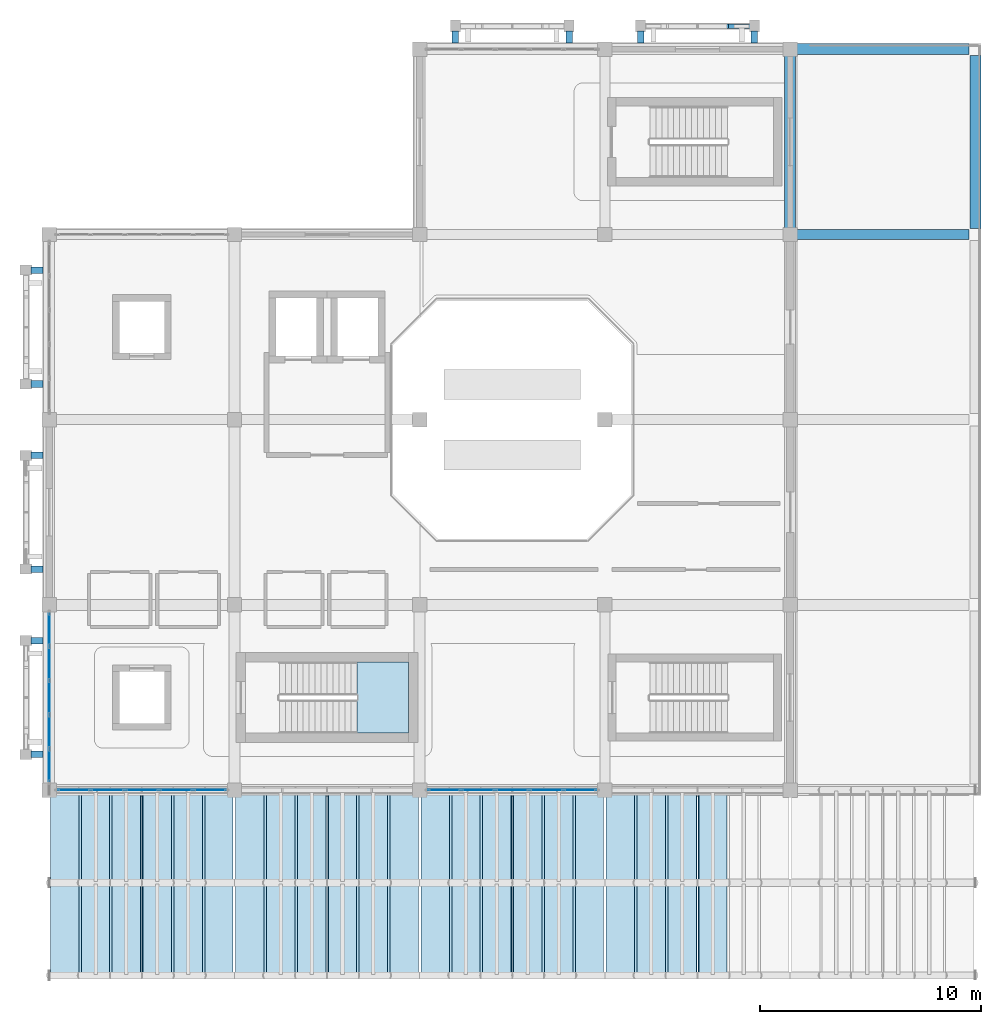
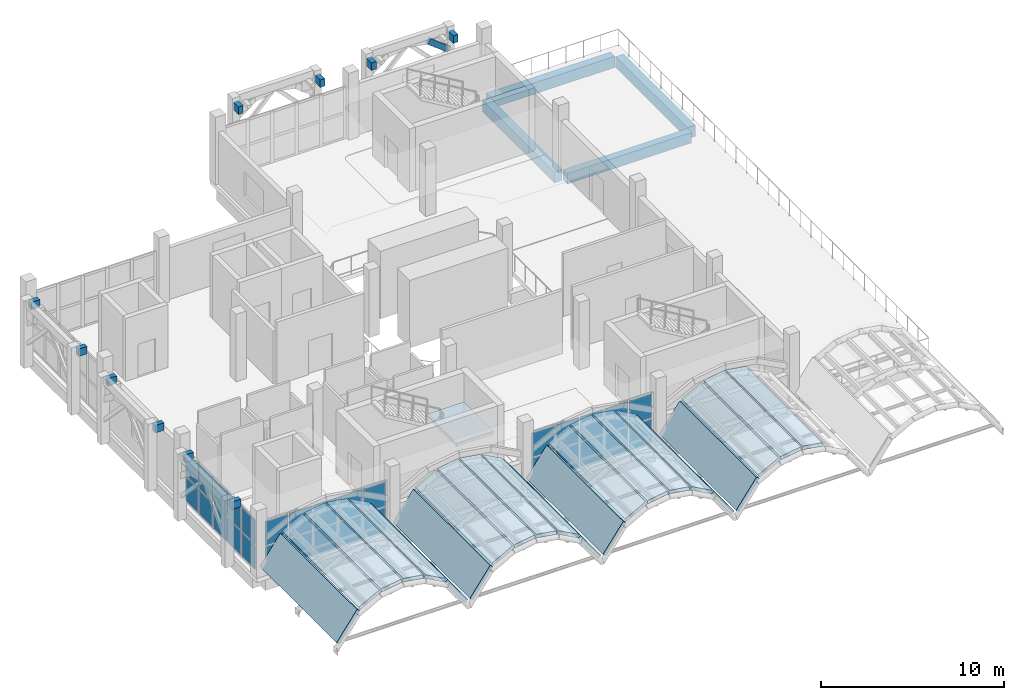
# One storey, part 12 of 22: 30 plates, 23 slabs, 14 beams, 1 member, 4 elements without a shape of their own.
"""IFC4 building model written with IfcOpenShell, lengths in metres."""

from ifc_helpers import new_model, si_unit, direction, frame, origin, origin_2d, place, context, subcontext, project, spatial, polyline, rectangle, outline, extrude, material, layer, layer_set, material_profile, profile_set, type_object, element, aggregate, save


model = new_model("IFC4")

# Units and contexts
model_context = context("Model", 3, precision=1e-05, world=origin(), true_north=direction((0.0, 1.0)))
body_context = subcontext(model_context, "Body", "Model", "MODEL_VIEW")
ifc_project = project(units=[si_unit("LENGTHUNIT", "METRE"), si_unit("AREAUNIT", "SQUARE_METRE"), si_unit("VOLUMEUNIT", "CUBIC_METRE"), si_unit("PLANEANGLEUNIT", "RADIAN"), si_unit("MASSUNIT", "GRAM", prefix="KILO")], contexts=[model_context])

# Site, building, storey
site_placement = place(None, origin())
site = spatial("IfcSite", under=ifc_project, at=site_placement, CompositionType="ELEMENT")
building_placement = place(site_placement, origin())
building = spatial("IfcBuilding", under=site, at=building_placement, Name="Xazarin Passage Department Store", CompositionType="ELEMENT")
storey_placement = place(building_placement, frame((0.0, 0.0, 27.89990234375)))
storey = spatial("IfcBuildingStorey", under=building, at=storey_placement, Name="L06", CompositionType="ELEMENT", Elevation=27.89990234375)

# Beams
ifc_material_1 = material(Name="Concrete C35/45", Category="concrete")
ifc_material_profile_1 = material_profile(ifc_material_1, rectangle(XDim=0.449951171875, YDim=0.699951171875, at=origin_2d()), Name="RC 450x700")
ifc_profile_set_1 = profile_set([ifc_material_profile_1], Name="Concrete C35/45")
beam_type_1 = type_object("IfcBeamType", Name="STR-BM-G450x700", PredefinedType="BEAM", material=ifc_profile_set_1)
beam_placement = place(storey_placement, frame((33.8798828125, 101.60009765625, -0.64990234375), z_axis=(1.0, 0.0, 0.0), x_axis=(0.0, 1.0, 0.0)))
element("IfcBeam", 1, at=beam_placement, inside=storey, type_object=beam_type_1, Name="L06 Grid Beam P/5-6", PredefinedType="BEAM", context=body_context, shape_type="SweptSolid", body=[
    extrude(rectangle(XDim=0.449951171875, YDim=0.699951171875, at=origin_2d()), origin(), (0.0, 0.0, 1.0), 7.840087890625),
])
ifc_material_profile_2 = material_profile(ifc_material_1, rectangle(XDim=0.300048828125, YDim=0.5, at=origin_2d()), Name="RC 300x500")
ifc_profile_set_2 = profile_set([ifc_material_profile_2], Name="Concrete C35/45")
beam_type_2 = type_object("IfcBeamType", Name="STR-BM-LN300x500", PredefinedType="LINTEL", material=ifc_profile_set_2)
for number, where, z_axis, x_axis, name in (
    (2, (18.419921875, 110.280029296875, 3.9501953125), (0.0, 1.0, 0.0), (-1.0, 0.0, 0.0), "L06 V1 Colonnade Tie Rib 001L"),
    (3, (23.580078125, 110.280029296875, 3.9501953125), (0.0, 1.0, 0.0), (-1.0, 0.0, 0.0), "L06 V1 Colonnade Tie Rib 001R"),
    (4, (26.820068359375, 110.280029296875, 3.9501953125), (0.0, 1.0, 0.0), (-1.0, 0.0, 0.0), "L06 V1 Colonnade Tie Rib 002L"),
    (5, (31.97998046875, 110.280029296875, 3.9501953125), (0.0, 1.0, 0.0), (-1.0, 0.0, 0.0), "L06 V1 Colonnade Tie Rib 002R"),
    (6, (-0.280029296875, 78.02001953125, 3.9501953125), (-1.0, 0.0, 0.0), (0.0, -1.0, 0.0), "L06 V1 Colonnade Tie Rib 011L"),
    (7, (-0.280029296875, 83.179931640625, 3.9501953125), (-1.0, 0.0, 0.0), (0.0, -1.0, 0.0), "L06 V1 Colonnade Tie Rib 011R"),
    (8, (-0.280029296875, 86.419921875, 3.9501953125), (-1.0, 0.0, 0.0), (0.0, -1.0, 0.0), "L06 V1 Colonnade Tie Rib 012L"),
    (9, (-0.280029296875, 91.580078125, 3.9501953125), (-1.0, 0.0, 0.0), (0.0, -1.0, 0.0), "L06 V1 Colonnade Tie Rib 012R"),
    (10, (-0.280029296875, 94.820068359375, 3.9501953125), (-1.0, 0.0, 0.0), (0.0, -1.0, 0.0), "L06 V1 Colonnade Tie Rib 013L"),
    (11, (-0.280029296875, 99.97998046875, 3.9501953125), (-1.0, 0.0, 0.0), (0.0, -1.0, 0.0), "L06 V1 Colonnade Tie Rib 013R"),
):
    element("IfcBeam", number, at=place(storey_placement, frame(where, z_axis=z_axis, x_axis=x_axis)), inside=storey, type_object=beam_type_2, Name=name, PredefinedType="LINTEL", context=body_context, shape_type="SweptSolid", body=[
        extrude(rectangle(XDim=0.300048828125, YDim=0.5, at=origin_2d()), origin(), (0.0, 0.0, 1.0), 0.550048828125),
    ])
ifc_material_profile_3 = material_profile(ifc_material_1, rectangle(XDim=0.5, YDim=0.75, at=origin_2d()), Name="RC 500x750")
ifc_profile_set_3 = profile_set([ifc_material_profile_3], Name="Concrete C35/45")
beam_type_3 = type_object("IfcBeamType", Name="STR-BM-SP500x750", PredefinedType="SPANDREL", material=ifc_profile_set_3)
for number, where, z_axis, x_axis, name in (
    (12, (33.8798828125, 110.0, -0.6748046875), (1.0, 0.0, 0.0), (0.0, 1.0, 0.0), "L06 Grid Beam Q/5-6"),
    (13, (33.60009765625, 101.8798828125, -0.6748046875), (0.0, 1.0, 0.0), (-1.0, 0.0, 0.0), "L06 Grid Beam 5/P-Q"),
    (14, (42.0, 101.8798828125, -0.6748046875), (0.0, 1.0, 0.0), (-1.0, 0.0, 0.0), "L06 Grid Beam 6/P-Q"),
):
    element("IfcBeam", number, at=place(storey_placement, frame(where, z_axis=z_axis, x_axis=x_axis)), inside=storey, type_object=beam_type_3, Name=name, PredefinedType="SPANDREL", context=body_context, shape_type="SweptSolid", body=[
        extrude(rectangle(XDim=0.5, YDim=0.75, at=origin_2d()), origin(), (0.0, 0.0, 1.0), 7.840087890625),
    ])

# Member
ifc_material_2 = material(Name="Concrete C40/50", Category="concrete")
ifc_material_profile_4 = material_profile(ifc_material_2, rectangle(XDim=0.199951171875, YDim=0.360107421875, at=origin_2d()), Name="RC 200x360")
ifc_profile_set_4 = profile_set([ifc_material_profile_4], Name="Concrete C40/50")
member_type = type_object("IfcMemberType", Name="STR-MEM-ARC360", PredefinedType="CHORD", material=ifc_profile_set_4)
member_placement = place(storey_placement, frame((30.68994140625, 111.050048828125, 3.81640625), z_axis=(0.79440903847, 0.0, -0.607383140692), x_axis=(0.0, 1.0, 0.0)))
element("IfcMember", 15, at=member_placement, inside=storey, type_object=member_type, Name="L06 V1 Pierced Lattice Curved Arch 002.4", PredefinedType="CHORD", context=body_context, shape_type="SweptSolid", body=[
    extrude(rectangle(XDim=0.199951171875, YDim=0.360107421875, at=origin_2d()), origin(), (0.0, 0.0, 1.0), 1.623779296875),
])

# Curtain wall, plates
ifc_material_3 = material(Name="Bronze anodised aluminium", Category="aluminium")
ifc_layer_1 = layer(ifc_material_3, 0.199951171875)
ifc_layer_set_1 = layer_set([ifc_layer_1], Name="Bronze anodised aluminium")
curtain_wall_type = type_object("IfcCurtainWallType", Name="ARC-CW-VIT2", PredefinedType="NOTDEFINED", material=ifc_layer_set_1)
curtain_wall_1_placement = place(storey_placement, origin())
curtain_wall_1 = element("IfcCurtainWall", 16, at=curtain_wall_1_placement, inside=storey, type_object=curtain_wall_type, Name="L06 V1 Curtain Wall 085", PredefinedType="NOTDEFINED")
ifc_material_4 = material(Name="Low-E laminated safety glass", Category="glass")
ifc_layer_2 = layer(ifc_material_4, 0.031982421875)
ifc_layer_set_2 = layer_set([ifc_layer_2], Name="Low-E laminated safety glass")
plate_type = type_object("IfcPlateType", Name="ARC-CWP-GLZ32", PredefinedType="CURTAIN_PANEL", material=ifc_layer_set_2)
plate_1_placement = place(storey_placement, frame((1.11865234375, 76.39990234375, 0.0751953125), z_axis=(0.0, 0.0, 1.0), x_axis=(1.0, 0.0, 0.0)))
plate_1 = element("IfcPlate", 17, at=plate_1_placement, type_object=plate_type, Name="CW2 panel 1.1", PredefinedType="CURTAIN_PANEL", context=body_context, shape_type="SweptSolid", body=[
    extrude(rectangle(XDim=1.4375, YDim=0.031982421875, at=origin_2d()), origin(), (0.0, 0.0, 1.0), 1.612548828125),
])
plate_2_placement = place(storey_placement, frame((1.11865234375, 76.39990234375, 1.7626953125), z_axis=(0.0, 0.0, 1.0), x_axis=(1.0, 0.0, 0.0)))
plate_2 = element("IfcPlate", 18, at=plate_2_placement, type_object=plate_type, Name="CW2 panel 1.2", PredefinedType="CURTAIN_PANEL", context=body_context, shape_type="SweptSolid", body=[
    extrude(rectangle(XDim=1.4375, YDim=0.031982421875, at=origin_2d()), origin(), (0.0, 0.0, 1.0), 1.612548828125),
])
plate_3_placement = place(storey_placement, frame((2.64990234375, 76.39990234375, 0.0751953125), z_axis=(0.0, 0.0, 1.0), x_axis=(1.0, 0.0, 0.0)))
plate_3 = element("IfcPlate", 19, at=plate_3_placement, type_object=plate_type, Name="CW2 panel 2.1", PredefinedType="CURTAIN_PANEL", context=body_context, shape_type="SweptSolid", body=[
    extrude(rectangle(XDim=1.47509765625, YDim=0.031982421875, at=origin_2d()), origin(), (0.0, 0.0, 1.0), 1.612548828125),
])
plate_4_placement = place(storey_placement, frame((2.64990234375, 76.39990234375, 1.7626953125), z_axis=(0.0, 0.0, 1.0), x_axis=(1.0, 0.0, 0.0)))
plate_4 = element("IfcPlate", 20, at=plate_4_placement, type_object=plate_type, Name="CW2 panel 2.2", PredefinedType="CURTAIN_PANEL", context=body_context, shape_type="SweptSolid", body=[
    extrude(rectangle(XDim=1.47509765625, YDim=0.031982421875, at=origin_2d()), origin(), (0.0, 0.0, 1.0), 1.612548828125),
])
plate_5_placement = place(storey_placement, frame((4.199951171875, 76.39990234375, 0.0751953125), z_axis=(0.0, 0.0, 1.0), x_axis=(1.0, 0.0, 0.0)))
plate_5 = element("IfcPlate", 21, at=plate_5_placement, type_object=plate_type, Name="CW2 panel 3.1", PredefinedType="CURTAIN_PANEL", context=body_context, shape_type="SweptSolid", body=[
    extrude(rectangle(XDim=1.47509765625, YDim=0.031982421875, at=origin_2d()), origin(), (0.0, 0.0, 1.0), 1.612548828125),
])
plate_6_placement = place(storey_placement, frame((4.199951171875, 76.39990234375, 1.7626953125), z_axis=(0.0, 0.0, 1.0), x_axis=(1.0, 0.0, 0.0)))
plate_6 = element("IfcPlate", 22, at=plate_6_placement, type_object=plate_type, Name="CW2 panel 3.2", PredefinedType="CURTAIN_PANEL", context=body_context, shape_type="SweptSolid", body=[
    extrude(rectangle(XDim=1.47509765625, YDim=0.031982421875, at=origin_2d()), origin(), (0.0, 0.0, 1.0), 1.612548828125),
])
plate_7_placement = place(storey_placement, frame((5.75, 76.39990234375, 0.0751953125), z_axis=(0.0, 0.0, 1.0), x_axis=(1.0, 0.0, 0.0)))
plate_7 = element("IfcPlate", 23, at=plate_7_placement, type_object=plate_type, Name="CW2 panel 4.1", PredefinedType="CURTAIN_PANEL", context=body_context, shape_type="SweptSolid", body=[
    extrude(rectangle(XDim=1.47509765625, YDim=0.031982421875, at=origin_2d()), origin(), (0.0, 0.0, 1.0), 1.612548828125),
])
plate_8_placement = place(storey_placement, frame((5.75, 76.39990234375, 1.7626953125), z_axis=(0.0, 0.0, 1.0), x_axis=(1.0, 0.0, 0.0)))
plate_8 = element("IfcPlate", 24, at=plate_8_placement, type_object=plate_type, Name="CW2 panel 4.2", PredefinedType="CURTAIN_PANEL", context=body_context, shape_type="SweptSolid", body=[
    extrude(rectangle(XDim=1.47509765625, YDim=0.031982421875, at=origin_2d()), origin(), (0.0, 0.0, 1.0), 1.612548828125),
])
plate_9_placement = place(storey_placement, frame((7.28125, 76.39990234375, 0.0751953125), z_axis=(0.0, 0.0, 1.0), x_axis=(1.0, 0.0, 0.0)))
plate_9 = element("IfcPlate", 25, at=plate_9_placement, type_object=plate_type, Name="CW2 panel 5.1", PredefinedType="CURTAIN_PANEL", context=body_context, shape_type="SweptSolid", body=[
    extrude(rectangle(XDim=1.4375, YDim=0.031982421875, at=origin_2d()), origin(), (0.0, 0.0, 1.0), 1.612548828125),
])
plate_10_placement = place(storey_placement, frame((7.28125, 76.39990234375, 1.7626953125), z_axis=(0.0, 0.0, 1.0), x_axis=(1.0, 0.0, 0.0)))
plate_10 = element("IfcPlate", 26, at=plate_10_placement, type_object=plate_type, Name="CW2 panel 5.2", PredefinedType="CURTAIN_PANEL", context=body_context, shape_type="SweptSolid", body=[
    extrude(rectangle(XDim=1.4375, YDim=0.031982421875, at=origin_2d()), origin(), (0.0, 0.0, 1.0), 1.612548828125),
])
aggregate(curtain_wall_1, [plate_1, plate_2, plate_3, plate_4, plate_5, plate_6, plate_7, plate_8, plate_9, plate_10])

curtain_wall_2_placement = place(storey_placement, origin())
curtain_wall_2 = element("IfcCurtainWall", 27, at=curtain_wall_2_placement, inside=storey, type_object=curtain_wall_type, Name="L06 V1 Curtain Wall 086", PredefinedType="NOTDEFINED")
plate_11_placement = place(storey_placement, frame((17.918701171875, 76.39990234375, 0.0751953125), z_axis=(0.0, 0.0, 1.0), x_axis=(1.0, 0.0, 0.0)))
plate_11 = element("IfcPlate", 28, at=plate_11_placement, type_object=plate_type, Name="CW2 panel 1.1", PredefinedType="CURTAIN_PANEL", context=body_context, shape_type="SweptSolid", body=[
    extrude(rectangle(XDim=1.4375, YDim=0.031982421875, at=origin_2d()), origin(), (0.0, 0.0, 1.0), 1.612548828125),
])
plate_12_placement = place(storey_placement, frame((17.918701171875, 76.39990234375, 1.7626953125), z_axis=(0.0, 0.0, 1.0), x_axis=(1.0, 0.0, 0.0)))
plate_12 = element("IfcPlate", 29, at=plate_12_placement, type_object=plate_type, Name="CW2 panel 1.2", PredefinedType="CURTAIN_PANEL", context=body_context, shape_type="SweptSolid", body=[
    extrude(rectangle(XDim=1.4375, YDim=0.031982421875, at=origin_2d()), origin(), (0.0, 0.0, 1.0), 1.612548828125),
])
plate_13_placement = place(storey_placement, frame((19.449951171875, 76.39990234375, 0.0751953125), z_axis=(0.0, 0.0, 1.0), x_axis=(1.0, 0.0, 0.0)))
plate_13 = element("IfcPlate", 30, at=plate_13_placement, type_object=plate_type, Name="CW2 panel 2.1", PredefinedType="CURTAIN_PANEL", context=body_context, shape_type="SweptSolid", body=[
    extrude(rectangle(XDim=1.47509765625, YDim=0.031982421875, at=origin_2d()), origin(), (0.0, 0.0, 1.0), 1.612548828125),
])
plate_14_placement = place(storey_placement, frame((19.449951171875, 76.39990234375, 1.7626953125), z_axis=(0.0, 0.0, 1.0), x_axis=(1.0, 0.0, 0.0)))
plate_14 = element("IfcPlate", 31, at=plate_14_placement, type_object=plate_type, Name="CW2 panel 2.2", PredefinedType="CURTAIN_PANEL", context=body_context, shape_type="SweptSolid", body=[
    extrude(rectangle(XDim=1.47509765625, YDim=0.031982421875, at=origin_2d()), origin(), (0.0, 0.0, 1.0), 1.612548828125),
])
plate_15_placement = place(storey_placement, frame((21.0, 76.39990234375, 0.0751953125), z_axis=(0.0, 0.0, 1.0), x_axis=(1.0, 0.0, 0.0)))
plate_15 = element("IfcPlate", 32, at=plate_15_placement, type_object=plate_type, Name="CW2 panel 3.1", PredefinedType="CURTAIN_PANEL", context=body_context, shape_type="SweptSolid", body=[
    extrude(rectangle(XDim=1.47509765625, YDim=0.031982421875, at=origin_2d()), origin(), (0.0, 0.0, 1.0), 1.612548828125),
])
plate_16_placement = place(storey_placement, frame((21.0, 76.39990234375, 1.7626953125), z_axis=(0.0, 0.0, 1.0), x_axis=(1.0, 0.0, 0.0)))
plate_16 = element("IfcPlate", 33, at=plate_16_placement, type_object=plate_type, Name="CW2 panel 3.2", PredefinedType="CURTAIN_PANEL", context=body_context, shape_type="SweptSolid", body=[
    extrude(rectangle(XDim=1.47509765625, YDim=0.031982421875, at=origin_2d()), origin(), (0.0, 0.0, 1.0), 1.612548828125),
])
plate_17_placement = place(storey_placement, frame((22.550048828125, 76.39990234375, 0.0751953125), z_axis=(0.0, 0.0, 1.0), x_axis=(1.0, 0.0, 0.0)))
plate_17 = element("IfcPlate", 34, at=plate_17_placement, type_object=plate_type, Name="CW2 panel 4.1", PredefinedType="CURTAIN_PANEL", context=body_context, shape_type="SweptSolid", body=[
    extrude(rectangle(XDim=1.47509765625, YDim=0.031982421875, at=origin_2d()), origin(), (0.0, 0.0, 1.0), 1.612548828125),
])
plate_18_placement = place(storey_placement, frame((22.550048828125, 76.39990234375, 1.7626953125), z_axis=(0.0, 0.0, 1.0), x_axis=(1.0, 0.0, 0.0)))
plate_18 = element("IfcPlate", 35, at=plate_18_placement, type_object=plate_type, Name="CW2 panel 4.2", PredefinedType="CURTAIN_PANEL", context=body_context, shape_type="SweptSolid", body=[
    extrude(rectangle(XDim=1.47509765625, YDim=0.031982421875, at=origin_2d()), origin(), (0.0, 0.0, 1.0), 1.612548828125),
])
plate_19_placement = place(storey_placement, frame((24.081298828125, 76.39990234375, 0.0751953125), z_axis=(0.0, 0.0, 1.0), x_axis=(1.0, 0.0, 0.0)))
plate_19 = element("IfcPlate", 36, at=plate_19_placement, type_object=plate_type, Name="CW2 panel 5.1", PredefinedType="CURTAIN_PANEL", context=body_context, shape_type="SweptSolid", body=[
    extrude(rectangle(XDim=1.4375, YDim=0.031982421875, at=origin_2d()), origin(), (0.0, 0.0, 1.0), 1.612548828125),
])
plate_20_placement = place(storey_placement, frame((24.081298828125, 76.39990234375, 1.7626953125), z_axis=(0.0, 0.0, 1.0), x_axis=(1.0, 0.0, 0.0)))
plate_20 = element("IfcPlate", 37, at=plate_20_placement, type_object=plate_type, Name="CW2 panel 5.2", PredefinedType="CURTAIN_PANEL", context=body_context, shape_type="SweptSolid", body=[
    extrude(rectangle(XDim=1.4375, YDim=0.031982421875, at=origin_2d()), origin(), (0.0, 0.0, 1.0), 1.612548828125),
])
aggregate(curtain_wall_2, [plate_11, plate_12, plate_13, plate_14, plate_15, plate_16, plate_17, plate_18, plate_19, plate_20])

curtain_wall_3_placement = place(storey_placement, origin())
curtain_wall_3 = element("IfcCurtainWall", 38, at=curtain_wall_3_placement, inside=storey, type_object=curtain_wall_type, Name="L06 V1 Curtain Wall 089", PredefinedType="NOTDEFINED")
plate_21_placement = place(storey_placement, frame((0.0, 77.518798828125, 0.0751953125), z_axis=(0.0, 0.0, 1.0), x_axis=(0.0, 1.0, 0.0)))
plate_21 = element("IfcPlate", 39, at=plate_21_placement, type_object=plate_type, Name="CW2 panel 1.1", PredefinedType="CURTAIN_PANEL", context=body_context, shape_type="SweptSolid", body=[
    extrude(rectangle(XDim=1.4375, YDim=0.031982421875, at=origin_2d()), origin(), (0.0, 0.0, 1.0), 1.612548828125),
])
plate_22_placement = place(storey_placement, frame((0.0, 77.518798828125, 1.7626953125), z_axis=(0.0, 0.0, 1.0), x_axis=(0.0, 1.0, 0.0)))
plate_22 = element("IfcPlate", 40, at=plate_22_placement, type_object=plate_type, Name="CW2 panel 1.2", PredefinedType="CURTAIN_PANEL", context=body_context, shape_type="SweptSolid", body=[
    extrude(rectangle(XDim=1.4375, YDim=0.031982421875, at=origin_2d()), origin(), (0.0, 0.0, 1.0), 1.612548828125),
])
plate_23_placement = place(storey_placement, frame((0.0, 79.050048828125, 0.0751953125), z_axis=(0.0, 0.0, 1.0), x_axis=(0.0, 1.0, 0.0)))
plate_23 = element("IfcPlate", 41, at=plate_23_placement, type_object=plate_type, Name="CW2 panel 2.1", PredefinedType="CURTAIN_PANEL", context=body_context, shape_type="SweptSolid", body=[
    extrude(rectangle(XDim=1.47509765625, YDim=0.031982421875, at=origin_2d()), origin(), (0.0, 0.0, 1.0), 1.612548828125),
])
plate_24_placement = place(storey_placement, frame((0.0, 79.050048828125, 1.7626953125), z_axis=(0.0, 0.0, 1.0), x_axis=(0.0, 1.0, 0.0)))
plate_24 = element("IfcPlate", 42, at=plate_24_placement, type_object=plate_type, Name="CW2 panel 2.2", PredefinedType="CURTAIN_PANEL", context=body_context, shape_type="SweptSolid", body=[
    extrude(rectangle(XDim=1.47509765625, YDim=0.031982421875, at=origin_2d()), origin(), (0.0, 0.0, 1.0), 1.612548828125),
])
plate_25_placement = place(storey_placement, frame((0.0, 80.60009765625, 0.0751953125), z_axis=(0.0, 0.0, 1.0), x_axis=(0.0, 1.0, 0.0)))
plate_25 = element("IfcPlate", 43, at=plate_25_placement, type_object=plate_type, Name="CW2 panel 3.1", PredefinedType="CURTAIN_PANEL", context=body_context, shape_type="SweptSolid", body=[
    extrude(rectangle(XDim=1.47509765625, YDim=0.031982421875, at=origin_2d()), origin(), (0.0, 0.0, 1.0), 1.612548828125),
])
plate_26_placement = place(storey_placement, frame((0.0, 80.60009765625, 1.7626953125), z_axis=(0.0, 0.0, 1.0), x_axis=(0.0, 1.0, 0.0)))
plate_26 = element("IfcPlate", 44, at=plate_26_placement, type_object=plate_type, Name="CW2 panel 3.2", PredefinedType="CURTAIN_PANEL", context=body_context, shape_type="SweptSolid", body=[
    extrude(rectangle(XDim=1.47509765625, YDim=0.031982421875, at=origin_2d()), origin(), (0.0, 0.0, 1.0), 1.612548828125),
])
plate_27_placement = place(storey_placement, frame((0.0, 82.14990234375, 0.0751953125), z_axis=(0.0, 0.0, 1.0), x_axis=(0.0, 1.0, 0.0)))
plate_27 = element("IfcPlate", 45, at=plate_27_placement, type_object=plate_type, Name="CW2 panel 4.1", PredefinedType="CURTAIN_PANEL", context=body_context, shape_type="SweptSolid", body=[
    extrude(rectangle(XDim=1.47509765625, YDim=0.031982421875, at=origin_2d()), origin(), (0.0, 0.0, 1.0), 1.612548828125),
])
plate_28_placement = place(storey_placement, frame((0.0, 82.14990234375, 1.7626953125), z_axis=(0.0, 0.0, 1.0), x_axis=(0.0, 1.0, 0.0)))
plate_28 = element("IfcPlate", 46, at=plate_28_placement, type_object=plate_type, Name="CW2 panel 4.2", PredefinedType="CURTAIN_PANEL", context=body_context, shape_type="SweptSolid", body=[
    extrude(rectangle(XDim=1.47509765625, YDim=0.031982421875, at=origin_2d()), origin(), (0.0, 0.0, 1.0), 1.612548828125),
])
plate_29_placement = place(storey_placement, frame((0.0, 83.68115234375, 0.0751953125), z_axis=(0.0, 0.0, 1.0), x_axis=(0.0, 1.0, 0.0)))
plate_29 = element("IfcPlate", 47, at=plate_29_placement, type_object=plate_type, Name="CW2 panel 5.1", PredefinedType="CURTAIN_PANEL", context=body_context, shape_type="SweptSolid", body=[
    extrude(rectangle(XDim=1.4375, YDim=0.031982421875, at=origin_2d()), origin(), (0.0, 0.0, 1.0), 1.612548828125),
])
plate_30_placement = place(storey_placement, frame((0.0, 83.68115234375, 1.7626953125), z_axis=(0.0, 0.0, 1.0), x_axis=(0.0, 1.0, 0.0)))
plate_30 = element("IfcPlate", 48, at=plate_30_placement, type_object=plate_type, Name="CW2 panel 5.2", PredefinedType="CURTAIN_PANEL", context=body_context, shape_type="SweptSolid", body=[
    extrude(rectangle(XDim=1.4375, YDim=0.031982421875, at=origin_2d()), origin(), (0.0, 0.0, 1.0), 1.612548828125),
])
aggregate(curtain_wall_3, [plate_21, plate_22, plate_23, plate_24, plate_25, plate_26, plate_27, plate_28, plate_29, plate_30])

# Stair, slab
stair_type = type_object("IfcStairType", Name="ARC-ST-TYP", PredefinedType="HALF_TURN_STAIR", material=ifc_material_1)
stair_placement = place(storey_placement, origin())
stair = element("IfcStair", 49, at=stair_placement, inside=storey, type_object=stair_type, Name="L06 Exit Stair ST1", PredefinedType="HALF_TURN_STAIR")
ifc_layer_3 = layer(ifc_material_1, 0.199951171875)
ifc_layer_set_3 = layer_set([ifc_layer_3], Name="Concrete C35/45")
slab_type_1 = type_object("IfcSlabType", Name="STR-SLB-LND200", PredefinedType="LANDING", material=ifc_layer_set_3)
slab_1_placement = place(storey_placement, frame((0.0, 0.0, 2.050048828125)))
slab_1 = element("IfcSlab", 50, at=slab_1_placement, type_object=slab_type_1, Name="ST1 landing 1", PredefinedType="LANDING", context=body_context, shape_type="SweptSolid", body=[
    extrude(outline(polyline([(13.949951171875, 78.97998046875), (16.300048828125, 78.97998046875), (16.300048828125, 82.219970703125), (13.949951171875, 82.219970703125), (13.949951171875, 78.97998046875)])), origin(), (0.0, 0.0, 1.0), 0.199951171875),
])
aggregate(stair, [slab_1])

# Slabs
ifc_layer_4 = layer(ifc_material_2, 0.239990234375)
ifc_layer_set_4 = layer_set([ifc_layer_4], Name="Concrete C40/50")
slab_type_2 = type_object("IfcSlabType", Name="STR-SLB-SHL240", PredefinedType="ROOF", material=ifc_layer_set_4)
slab_2_placement = place(storey_placement, frame((0.055908203125, 68.0, 0.491943359375), z_axis=(-0.808059574465, 0.0, 0.589100775857), x_axis=(0.589100775857, 0.0, 0.808059574465)))
element("IfcSlab", 51, at=slab_2_placement, inside=storey, type_object=slab_type_2, Name="L06 V1S Curved Barrel Shell Facet 1.1", PredefinedType="ROOF", context=body_context, shape_type="SweptSolid", body=[
    extrude(outline(polyline([(0.0, 0.0), (2.1865290121643777, 0.0), (2.1865290121643777, 8.399902343750002), (0.0, 8.399902343750002), (0.0, 0.0)])), origin(), (0.0, 0.0, -1.0), 0.239990234375),
])
slab_3_placement = place(storey_placement, frame((1.4560546875, 68.0, 2.36572265625), z_axis=(-0.475084337224, 0.0, 0.879940266452), x_axis=(0.879940266452, 0.0, 0.475084337224)))
element("IfcSlab", 52, at=slab_3_placement, inside=storey, type_object=slab_type_2, Name="L06 V1S Curved Barrel Shell Facet 1.2", PredefinedType="ROOF", context=body_context, shape_type="SweptSolid", body=[
    extrude(outline(polyline([(0.0, 0.0), (1.4635559321168696, 0.0), (1.4635559321168696, 8.39990234375), (0.0, 8.39990234375), (0.0, 0.0)])), origin(), (0.0, 0.0, -1.0), 0.239990234375),
])
slab_4_placement = place(storey_placement, frame((2.85595703125, 68.0, 3.100341796875), z_axis=(-0.157778807121, 0.0, 0.987474479682), x_axis=(0.987474479682, 0.0, 0.157778807121)))
element("IfcSlab", 53, at=slab_4_placement, inside=storey, type_object=slab_type_2, Name="L06 V1S Curved Barrel Shell Facet 1.3", PredefinedType="ROOF", context=body_context, shape_type="SweptSolid", body=[
    extrude(outline(polyline([(0.0, 0.0), (1.304424533497527, 0.0), (1.304424533497527, 8.39990234375), (0.0, 8.39990234375), (0.0, 0.0)])), origin(), (0.0, 0.0, -1.0), 0.239990234375),
])
slab_5_placement = place(storey_placement, frame((4.256103515625, 68.0, 3.30615234375), z_axis=(0.157807972988, 0.0, 0.987469819114), x_axis=(0.987469819114, 0.0, -0.157807972988)))
element("IfcSlab", 54, at=slab_5_placement, inside=storey, type_object=slab_type_2, Name="L06 V1S Curved Barrel Shell Facet 1.4", PredefinedType="ROOF", context=body_context, shape_type="SweptSolid", body=[
    extrude(outline(polyline([(0.0, 0.0), (1.3041834514297501, 0.0), (1.3041834514297501, 8.39990234375), (0.0, 8.39990234375), (0.0, 0.0)])), origin(), (0.0, 0.0, -1.0), 0.239990234375),
])
slab_6_placement = place(storey_placement, frame((5.656005859375, 68.0, 3.06103515625), z_axis=(0.475014610353, 0.0, 0.879977908786), x_axis=(0.879977908786, 0.0, -0.475014610353)))
element("IfcSlab", 55, at=slab_6_placement, inside=storey, type_object=slab_type_2, Name="L06 V1S Curved Barrel Shell Facet 1.5", PredefinedType="ROOF", context=body_context, shape_type="SweptSolid", body=[
    extrude(outline(polyline([(0.0, 0.0), (1.4637707658788324, 0.0), (1.4637707658788324, 8.39990234375), (0.0, 8.39990234375), (0.0, 0.0)])), origin(), (0.0, 0.0, -1.0), 0.239990234375),
])
slab_7_placement = place(storey_placement, frame((7.055908203125, 68.0, 2.2587890625), z_axis=(0.808059574465, 0.0, 0.589100775857), x_axis=(0.589100775857, 0.0, -0.808059574465)))
element("IfcSlab", 56, at=slab_7_placement, inside=storey, type_object=slab_type_2, Name="L06 V1S Curved Barrel Shell Facet 1.6", PredefinedType="ROOF", context=body_context, shape_type="SweptSolid", body=[
    extrude(outline(polyline([(0.0, 0.0), (2.1865290121643777, 0.0), (2.1865290121643777, 8.399902343750002), (0.0, 8.399902343750002), (0.0, 0.0)])), origin(), (0.0, 0.0, -1.0), 0.239990234375),
])
slab_8_placement = place(storey_placement, frame((8.4560546875, 68.0, 0.491943359375), z_axis=(-0.808112726448, 0.0, 0.58902786127), x_axis=(0.58902786127, 0.0, 0.808112726448)))
element("IfcSlab", 57, at=slab_8_placement, inside=storey, type_object=slab_type_2, Name="L06 V1S Curved Barrel Shell Facet 2.1", PredefinedType="ROOF", context=body_context, shape_type="SweptSolid", body=[
    extrude(outline(polyline([(0.0, 0.0), (2.186385197633186, 0.0), (2.186385197633186, 8.39990234375), (0.0, 8.39990234375), (0.0, 0.0)])), origin(), (0.0, 0.0, -1.0), 0.239990234375),
])
slab_9_placement = place(storey_placement, frame((9.85595703125, 68.0, 2.36572265625), z_axis=(-0.475014610353, 0.0, 0.879977908786), x_axis=(0.879977908786, 0.0, 0.475014610353)))
element("IfcSlab", 58, at=slab_9_placement, inside=storey, type_object=slab_type_2, Name="L06 V1S Curved Barrel Shell Facet 2.2", PredefinedType="ROOF", context=body_context, shape_type="SweptSolid", body=[
    extrude(outline(polyline([(0.0, 0.0), (1.4637707658788324, 0.0), (1.4637707658788324, 8.39990234375), (0.0, 8.39990234375), (0.0, 0.0)])), origin(), (0.0, 0.0, -1.0), 0.239990234375),
])
slab_10_placement = place(storey_placement, frame((11.256103515625, 68.0, 3.100341796875), z_axis=(-0.157807972988, 0.0, 0.987469819114), x_axis=(0.987469819114, 0.0, 0.157807972988)))
element("IfcSlab", 59, at=slab_10_placement, inside=storey, type_object=slab_type_2, Name="L06 V1S Curved Barrel Shell Facet 2.3", PredefinedType="ROOF", context=body_context, shape_type="SweptSolid", body=[
    extrude(outline(polyline([(0.0, 0.0), (1.3041834514297501, 0.0), (1.3041834514297501, 8.39990234375), (0.0, 8.39990234375), (0.0, 0.0)])), origin(), (0.0, 0.0, -1.0), 0.239990234375),
])
slab_11_placement = place(storey_placement, frame((12.656005859375, 68.0, 3.30615234375), z_axis=(0.157778807121, 0.0, 0.987474479682), x_axis=(0.987474479682, 0.0, -0.157778807121)))
element("IfcSlab", 60, at=slab_11_placement, inside=storey, type_object=slab_type_2, Name="L06 V1S Curved Barrel Shell Facet 2.4", PredefinedType="ROOF", context=body_context, shape_type="SweptSolid", body=[
    extrude(outline(polyline([(0.0, 0.0), (1.304424533497527, 0.0), (1.304424533497527, 8.39990234375), (0.0, 8.39990234375), (0.0, 0.0)])), origin(), (0.0, 0.0, -1.0), 0.239990234375),
])
slab_12_placement = place(storey_placement, frame((14.055908203125, 68.0, 3.06103515625), z_axis=(0.475014610353, 0.0, 0.879977908786), x_axis=(0.879977908786, 0.0, -0.475014610353)))
element("IfcSlab", 61, at=slab_12_placement, inside=storey, type_object=slab_type_2, Name="L06 V1S Curved Barrel Shell Facet 2.5", PredefinedType="ROOF", context=body_context, shape_type="SweptSolid", body=[
    extrude(outline(polyline([(0.0, 0.0), (1.4637707658788324, 0.0), (1.4637707658788324, 8.39990234375), (0.0, 8.39990234375), (0.0, 0.0)])), origin(), (0.0, 0.0, -1.0), 0.239990234375),
])
slab_13_placement = place(storey_placement, frame((15.4560546875, 68.0, 2.2587890625), z_axis=(0.808112726448, 0.0, 0.58902786127), x_axis=(0.58902786127, 0.0, -0.808112726448)))
element("IfcSlab", 62, at=slab_13_placement, inside=storey, type_object=slab_type_2, Name="L06 V1S Curved Barrel Shell Facet 2.6", PredefinedType="ROOF", context=body_context, shape_type="SweptSolid", body=[
    extrude(outline(polyline([(0.0, 0.0), (2.186385197633186, 0.0), (2.186385197633186, 8.39990234375), (0.0, 8.39990234375), (0.0, 0.0)])), origin(), (0.0, 0.0, -1.0), 0.239990234375),
])
slab_14_placement = place(storey_placement, frame((16.85595703125, 68.0, 0.491943359375), z_axis=(-0.808059574465, 0.0, 0.589100775857), x_axis=(0.589100775857, 0.0, 0.808059574465)))
element("IfcSlab", 63, at=slab_14_placement, inside=storey, type_object=slab_type_2, Name="L06 V1S Curved Barrel Shell Facet 3.1", PredefinedType="ROOF", context=body_context, shape_type="SweptSolid", body=[
    extrude(outline(polyline([(0.0, 0.0), (2.1865290121643777, 0.0), (2.1865290121643777, 8.399902343750002), (0.0, 8.399902343750002), (0.0, 0.0)])), origin(), (0.0, 0.0, -1.0), 0.239990234375),
])
slab_15_placement = place(storey_placement, frame((18.256103515625, 68.0, 2.36572265625), z_axis=(-0.475084337224, 0.0, 0.879940266452), x_axis=(0.879940266452, 0.0, 0.475084337224)))
element("IfcSlab", 64, at=slab_15_placement, inside=storey, type_object=slab_type_2, Name="L06 V1S Curved Barrel Shell Facet 3.2", PredefinedType="ROOF", context=body_context, shape_type="SweptSolid", body=[
    extrude(outline(polyline([(0.0, 0.0), (1.4635559321168696, 0.0), (1.4635559321168696, 8.39990234375), (0.0, 8.39990234375), (0.0, 0.0)])), origin(), (0.0, 0.0, -1.0), 0.239990234375),
])
for number, where, z_axis, x_axis, name in (
    (65, (19.656005859375, 68.0, 3.100341796875), (-0.157778807121, 0.0, 0.987474479682), (0.987474479682, 0.0, 0.157778807121), "L06 V1S Curved Barrel Shell Facet 3.3"),
    (66, (21.055908203125, 68.0, 3.30615234375), (0.157778807121, 0.0, 0.987474479682), (0.987474479682, 0.0, -0.157778807121), "L06 V1S Curved Barrel Shell Facet 3.4"),
):
    element("IfcSlab", number, at=place(storey_placement, frame(where, z_axis=z_axis, x_axis=x_axis)), inside=storey, type_object=slab_type_2, Name=name, PredefinedType="ROOF", context=body_context, shape_type="SweptSolid", body=[
        extrude(outline(polyline([(0.0, 0.0), (1.304424533497527, 0.0), (1.304424533497527, 8.39990234375), (0.0, 8.39990234375), (0.0, 0.0)])), origin(), (0.0, 0.0, -1.0), 0.239990234375),
    ])
slab_16_placement = place(storey_placement, frame((22.4560546875, 68.0, 3.06103515625), z_axis=(0.475084337224, 0.0, 0.879940266452), x_axis=(0.879940266452, 0.0, -0.475084337224)))
element("IfcSlab", 67, at=slab_16_placement, inside=storey, type_object=slab_type_2, Name="L06 V1S Curved Barrel Shell Facet 3.5", PredefinedType="ROOF", context=body_context, shape_type="SweptSolid", body=[
    extrude(outline(polyline([(0.0, 0.0), (1.4635559321168696, 0.0), (1.4635559321168696, 8.39990234375), (0.0, 8.39990234375), (0.0, 0.0)])), origin(), (0.0, 0.0, -1.0), 0.239990234375),
])
slab_17_placement = place(storey_placement, frame((23.85595703125, 68.0, 2.2587890625), z_axis=(0.808059574465, 0.0, 0.589100775857), x_axis=(0.589100775857, 0.0, -0.808059574465)))
element("IfcSlab", 68, at=slab_17_placement, inside=storey, type_object=slab_type_2, Name="L06 V1S Curved Barrel Shell Facet 3.6", PredefinedType="ROOF", context=body_context, shape_type="SweptSolid", body=[
    extrude(outline(polyline([(0.0, 0.0), (2.1865290121643777, 0.0), (2.1865290121643777, 8.399902343750002), (0.0, 8.399902343750002), (0.0, 0.0)])), origin(), (0.0, 0.0, -1.0), 0.239990234375),
])
slab_18_placement = place(storey_placement, frame((25.256103515625, 68.0, 0.491943359375), z_axis=(-0.808112726448, 0.0, 0.58902786127), x_axis=(0.58902786127, 0.0, 0.808112726448)))
element("IfcSlab", 69, at=slab_18_placement, inside=storey, type_object=slab_type_2, Name="L06 V1S Curved Barrel Shell Facet 4.1", PredefinedType="ROOF", context=body_context, shape_type="SweptSolid", body=[
    extrude(outline(polyline([(0.0, 0.0), (2.186385197633186, 0.0), (2.186385197633186, 8.39990234375), (0.0, 8.39990234375), (0.0, 0.0)])), origin(), (0.0, 0.0, -1.0), 0.239990234375),
])
slab_19_placement = place(storey_placement, frame((26.656005859375, 68.0, 2.36572265625), z_axis=(-0.475014610353, 0.0, 0.879977908786), x_axis=(0.879977908786, 0.0, 0.475014610353)))
element("IfcSlab", 70, at=slab_19_placement, inside=storey, type_object=slab_type_2, Name="L06 V1S Curved Barrel Shell Facet 4.2", PredefinedType="ROOF", context=body_context, shape_type="SweptSolid", body=[
    extrude(outline(polyline([(0.0, 0.0), (1.4637707658788324, 0.0), (1.4637707658788324, 8.39990234375), (0.0, 8.39990234375), (0.0, 0.0)])), origin(), (0.0, 0.0, -1.0), 0.239990234375),
])
slab_20_placement = place(storey_placement, frame((28.055908203125, 68.0, 3.100341796875), z_axis=(-0.157778807121, 0.0, 0.987474479682), x_axis=(0.987474479682, 0.0, 0.157778807121)))
element("IfcSlab", 71, at=slab_20_placement, inside=storey, type_object=slab_type_2, Name="L06 V1S Curved Barrel Shell Facet 4.3", PredefinedType="ROOF", context=body_context, shape_type="SweptSolid", body=[
    extrude(outline(polyline([(0.0, 0.0), (1.304424533497527, 0.0), (1.304424533497527, 8.39990234375), (0.0, 8.39990234375), (0.0, 0.0)])), origin(), (0.0, 0.0, -1.0), 0.239990234375),
])
slab_21_placement = place(storey_placement, frame((29.4560546875, 68.0, 3.30615234375), z_axis=(0.157807972988, 0.0, 0.987469819114), x_axis=(0.987469819114, 0.0, -0.157807972988)))
element("IfcSlab", 72, at=slab_21_placement, inside=storey, type_object=slab_type_2, Name="L06 V1S Curved Barrel Shell Facet 4.4", PredefinedType="ROOF", context=body_context, shape_type="SweptSolid", body=[
    extrude(outline(polyline([(0.0, 0.0), (1.3041834514297501, 0.0), (1.3041834514297501, 8.39990234375), (0.0, 8.39990234375), (0.0, 0.0)])), origin(), (0.0, 0.0, -1.0), 0.239990234375),
])

save(model, "model.ifc")
